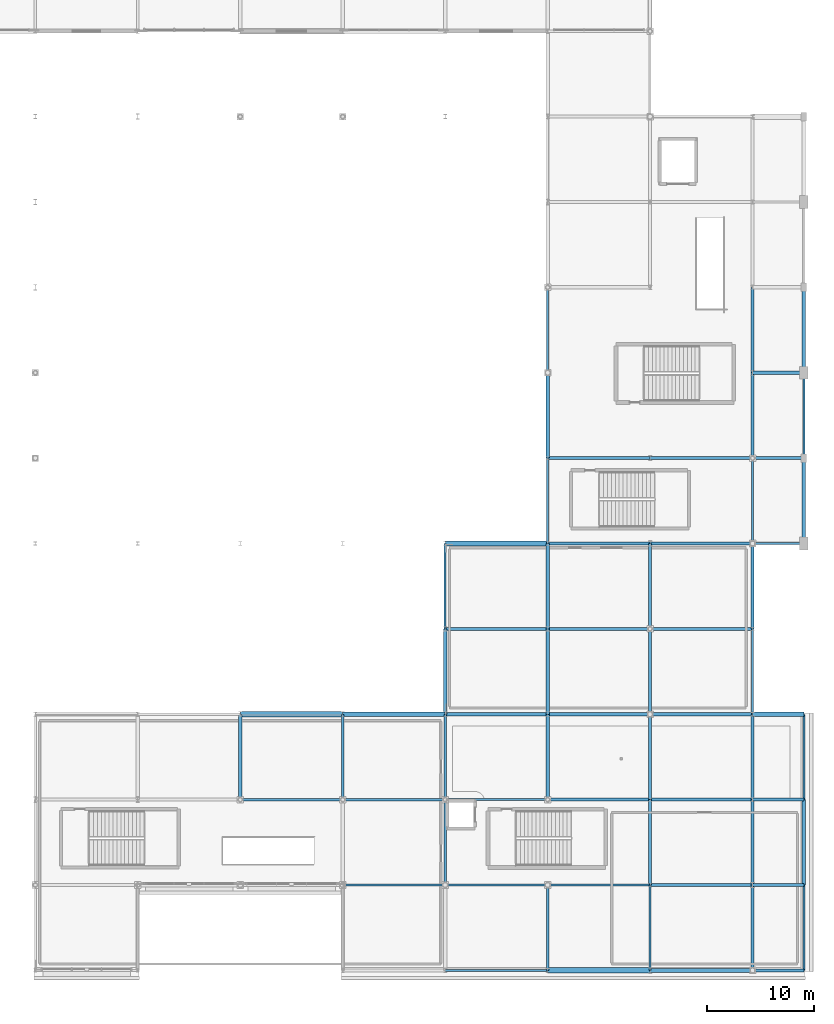
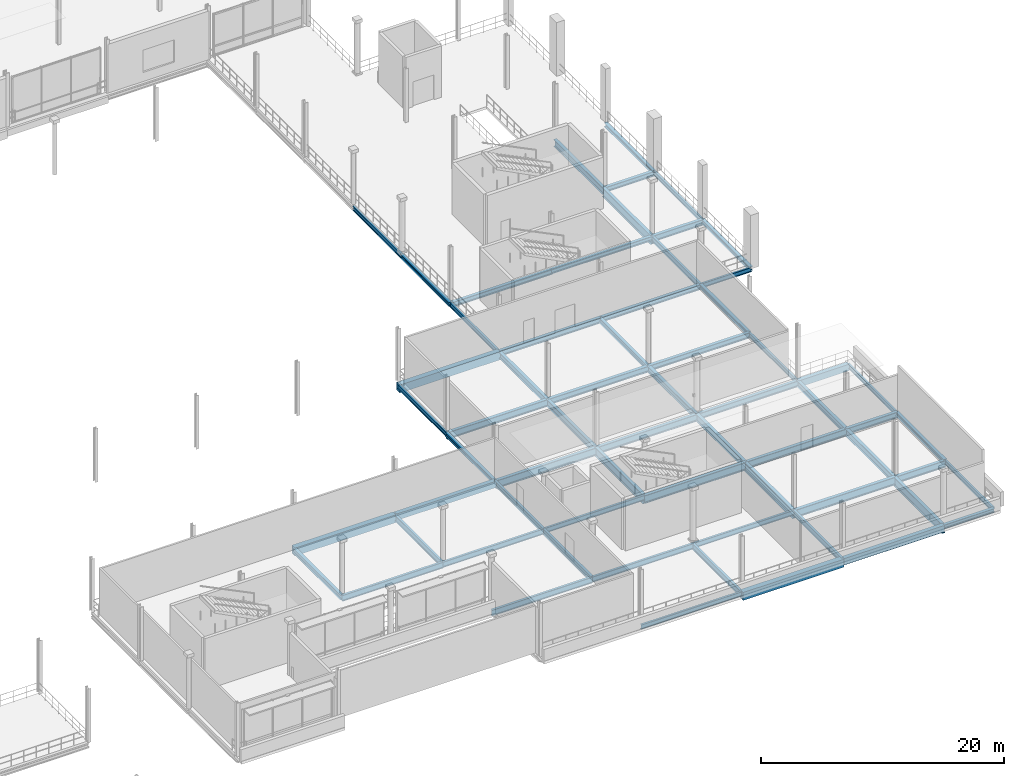
# One storey, part 57 of 129: 64 beams.
"""IFC4 building model written with IfcOpenShell, lengths in metres."""

from ifc_helpers import new_model, si_unit, direction, frame, origin, origin_2d, place, context, subcontext, project, spatial, rectangle, i_section, extrude, material, material_profile, profile_set, type_object, element, save


model = new_model("IFC4")

# Units and contexts
model_context = context("Model", 3, precision=1e-05, world=origin(), true_north=direction((0.0, 1.0)))
body_context = subcontext(model_context, "Body", "Model", "MODEL_VIEW")
ifc_project = project(units=[si_unit("LENGTHUNIT", "METRE"), si_unit("AREAUNIT", "SQUARE_METRE"), si_unit("VOLUMEUNIT", "CUBIC_METRE"), si_unit("PLANEANGLEUNIT", "RADIAN"), si_unit("MASSUNIT", "GRAM", prefix="KILO")], contexts=[model_context])

# Site, building, storey
site_placement = place(None, origin())
site = spatial("IfcSite", under=ifc_project, at=site_placement, CompositionType="ELEMENT")
building_placement = place(site_placement, origin())
building = spatial("IfcBuilding", under=site, at=building_placement, Name="Danafjord Basin Convention Centre", CompositionType="ELEMENT")
storey_placement = place(building_placement, frame((0.0, 0.0, 6.0)))
storey = spatial("IfcBuildingStorey", under=building, at=storey_placement, Name="L01", CompositionType="ELEMENT", Elevation=6.0)

# Beams
ifc_material_1 = material(Name="Steel S355", Category="steel")
ifc_material_profile_1 = material_profile(ifc_material_1, i_section(OverallWidth=0.300048828125, OverallDepth=0.489990234375, WebThickness=0.011962890625, FlangeThickness=0.02294921875, FilletRadius=0.027099609375, at=origin_2d()), Name="HEA 500")
ifc_profile_set_1 = profile_set([ifc_material_profile_1], Name="Steel S355")
beam_type_1 = type_object("IfcBeamType", Name="BEAM-BM-HEA500", PredefinedType="BEAM", material=ifc_profile_set_1)
beam_1_placement = place(storey_placement, frame((211.199951171875, 56.0, -0.4951171875), z_axis=(1.0, 0.0, 0.0), x_axis=(0.0, 1.0, 0.0)))
element("IfcBeam", 1, at=beam_1_placement, inside=storey, type_object=beam_type_1, Name="L01 girder BM-HEA500", PredefinedType="BEAM", context=body_context, shape_type="SweptSolid", body=[
    extrude(i_section(OverallWidth=0.300048828125, OverallDepth=0.489990234375, WebThickness=0.011962890625, FlangeThickness=0.02294921875, FilletRadius=0.027099609375, at=origin_2d()), origin(), (0.0, 0.0, 1.0), 4.800048828125),
])
ifc_material_profile_2 = material_profile(ifc_material_1, i_section(OverallWidth=0.300048828125, OverallDepth=0.590087890625, WebThickness=0.012939453125, FlangeThickness=0.02490234375, FilletRadius=0.027099609375, at=origin_2d()), Name="HEA 600")
ifc_profile_set_2 = profile_set([ifc_material_profile_2], Name="Steel S355")
beam_type_2 = type_object("IfcBeamType", Name="BEAM-BM-HEA600", PredefinedType="BEAM", material=ifc_profile_set_2)
beam_2_placement = place(storey_placement, frame((211.199951171875, 48.0, -0.544921875), z_axis=(1.0, 0.0, 0.0), x_axis=(0.0, 1.0, 0.0)))
element("IfcBeam", 2, at=beam_2_placement, inside=storey, type_object=beam_type_2, Name="L01 girder BM-HEA600", PredefinedType="BEAM", context=body_context, shape_type="SweptSolid", body=[
    extrude(i_section(OverallWidth=0.300048828125, OverallDepth=0.590087890625, WebThickness=0.012939453125, FlangeThickness=0.02490234375, FilletRadius=0.027099609375, at=origin_2d()), origin(), (0.0, 0.0, 1.0), 4.800048828125),
])
ifc_material_profile_3 = material_profile(ifc_material_1, i_section(OverallWidth=0.300048828125, OverallDepth=0.449951171875, WebThickness=0.013916015625, FlangeThickness=0.02587890625, FilletRadius=0.027099609375, at=origin_2d()), Name="HEB 450")
ifc_profile_set_3 = profile_set([ifc_material_profile_3], Name="Steel S355")
beam_type_3 = type_object("IfcBeamType", Name="BEAM-BM-HEB450", PredefinedType="BEAM", material=ifc_profile_set_3)
beam_3_placement = place(storey_placement, frame((201.60009765625, 48.0, -0.47509765625), z_axis=(1.0, 0.0, 0.0), x_axis=(0.0, 1.0, 0.0)))
element("IfcBeam", 3, at=beam_3_placement, inside=storey, type_object=beam_type_3, Name="L01 girder BM-HEB450", PredefinedType="BEAM", context=body_context, shape_type="SweptSolid", body=[
    extrude(i_section(OverallWidth=0.300048828125, OverallDepth=0.449951171875, WebThickness=0.013916015625, FlangeThickness=0.02587890625, FilletRadius=0.027099609375, at=origin_2d()), origin(), (0.0, 0.0, 1.0), 9.599853515625),
])
ifc_material_profile_4 = material_profile(ifc_material_1, i_section(OverallWidth=0.300048828125, OverallDepth=0.5, WebThickness=0.014404296875, FlangeThickness=0.028076171875, FilletRadius=0.027099609375, at=origin_2d()), Name="HEB 500")
ifc_profile_set_4 = profile_set([ifc_material_profile_4], Name="Steel S355")
beam_type_4 = type_object("IfcBeamType", Name="BEAM-BM-HEB500", PredefinedType="BEAM", material=ifc_profile_set_4)
beam_4_placement = place(storey_placement, frame((192.0, 48.0, -0.5), z_axis=(1.0, 0.0, 0.0), x_axis=(0.0, 1.0, 0.0)))
element("IfcBeam", 4, at=beam_4_placement, inside=storey, type_object=beam_type_4, Name="L01 girder BM-HEB500", PredefinedType="BEAM", context=body_context, shape_type="SweptSolid", body=[
    extrude(i_section(OverallWidth=0.300048828125, OverallDepth=0.5, WebThickness=0.014404296875, FlangeThickness=0.028076171875, FilletRadius=0.027099609375, at=origin_2d()), origin(), (0.0, 0.0, 1.0), 9.60009765625),
])
beam_5_placement = place(storey_placement, frame((201.60009765625, 40.0, -0.5), z_axis=(1.0, 0.0, 0.0), x_axis=(0.0, 1.0, 0.0)))
element("IfcBeam", 5, at=beam_5_placement, inside=storey, type_object=beam_type_4, Name="L01 girder BM-HEB500", PredefinedType="BEAM", context=body_context, shape_type="SweptSolid", body=[
    extrude(i_section(OverallWidth=0.300048828125, OverallDepth=0.5, WebThickness=0.014404296875, FlangeThickness=0.028076171875, FilletRadius=0.027099609375, at=origin_2d()), origin(), (0.0, 0.0, 1.0), 9.599853515625),
])
for number, where, z_axis, x_axis, name in (
    (6, (163.199951171875, 16.0, -0.47998046875), (0.0, 1.0, 0.0), (-1.0, 0.0, 0.0), "L01 transverse girder BM-HEB500"),
    (7, (201.60009765625, 32.0, -0.5), (0.0, 1.0, 0.0), (-1.0, 0.0, 0.0), "L01 transverse girder BM-HEB500"),
):
    element("IfcBeam", number, at=place(storey_placement, frame(where, z_axis=z_axis, x_axis=x_axis)), inside=storey, type_object=beam_type_4, Name=name, PredefinedType="BEAM", context=body_context, shape_type="SweptSolid", body=[
        extrude(i_section(OverallWidth=0.300048828125, OverallDepth=0.5, WebThickness=0.014404296875, FlangeThickness=0.028076171875, FilletRadius=0.027099609375, at=origin_2d()), origin(), (0.0, 0.0, 1.0), 8.0),
    ])
ifc_material_profile_5 = material_profile(ifc_material_1, i_section(OverallWidth=0.300048828125, OverallDepth=0.550048828125, WebThickness=0.014892578125, FlangeThickness=0.029052734375, FilletRadius=0.027099609375, at=origin_2d()), Name="HEB 550")
ifc_profile_set_5 = profile_set([ifc_material_profile_5], Name="Steel S355")
beam_type_5 = type_object("IfcBeamType", Name="BEAM-BM-HEB550", PredefinedType="BEAM", material=ifc_profile_set_5)
beam_6_placement = place(storey_placement, frame((192.0, 40.0, -0.52490234375), z_axis=(1.0, 0.0, 0.0), x_axis=(0.0, 1.0, 0.0)))
element("IfcBeam", 8, at=beam_6_placement, inside=storey, type_object=beam_type_5, Name="L01 girder BM-HEB550", PredefinedType="BEAM", context=body_context, shape_type="SweptSolid", body=[
    extrude(i_section(OverallWidth=0.300048828125, OverallDepth=0.550048828125, WebThickness=0.014892578125, FlangeThickness=0.029052734375, FilletRadius=0.027099609375, at=origin_2d()), origin(), (0.0, 0.0, 1.0), 9.60009765625),
])
beam_7_placement = place(storey_placement, frame((201.60009765625, 32.0, -0.52490234375), z_axis=(1.0, 0.0, 0.0), x_axis=(0.0, 1.0, 0.0)))
element("IfcBeam", 9, at=beam_7_placement, inside=storey, type_object=beam_type_5, Name="L01 girder BM-HEB550", PredefinedType="BEAM", context=body_context, shape_type="SweptSolid", body=[
    extrude(i_section(OverallWidth=0.300048828125, OverallDepth=0.550048828125, WebThickness=0.014892578125, FlangeThickness=0.029052734375, FilletRadius=0.027099609375, at=origin_2d()), origin(), (0.0, 0.0, 1.0), 9.599853515625),
])
ifc_material_profile_6 = material_profile(ifc_material_1, i_section(OverallWidth=0.300048828125, OverallDepth=0.60009765625, WebThickness=0.015380859375, FlangeThickness=0.030029296875, FilletRadius=0.027099609375, at=origin_2d()), Name="HEB 600")
ifc_profile_set_6 = profile_set([ifc_material_profile_6], Name="Steel S355")
beam_type_6 = type_object("IfcBeamType", Name="BEAM-BM-HEB600", PredefinedType="BEAM", material=ifc_profile_set_6)
beam_8_placement = place(storey_placement, frame((192.0, 32.0, -0.550048828125), z_axis=(1.0, 0.0, 0.0), x_axis=(0.0, 1.0, 0.0)))
element("IfcBeam", 10, at=beam_8_placement, inside=storey, type_object=beam_type_6, Name="L01 girder BM-HEB600", PredefinedType="BEAM", context=body_context, shape_type="SweptSolid", body=[
    extrude(i_section(OverallWidth=0.300048828125, OverallDepth=0.60009765625, WebThickness=0.015380859375, FlangeThickness=0.030029296875, FilletRadius=0.027099609375, at=origin_2d()), origin(), (0.0, 0.0, 1.0), 9.60009765625),
])
beam_9_placement = place(storey_placement, frame((201.60009765625, 24.0, -0.550048828125), z_axis=(1.0, 0.0, 0.0), x_axis=(0.0, 1.0, 0.0)))
element("IfcBeam", 11, at=beam_9_placement, inside=storey, type_object=beam_type_6, Name="L01 girder BM-HEB600", PredefinedType="BEAM", context=body_context, shape_type="SweptSolid", body=[
    extrude(i_section(OverallWidth=0.300048828125, OverallDepth=0.60009765625, WebThickness=0.015380859375, FlangeThickness=0.030029296875, FilletRadius=0.027099609375, at=origin_2d()), origin(), (0.0, 0.0, 1.0), 9.599853515625),
])
beam_10_placement = place(storey_placement, frame((211.199951171875, 16.0, -0.530029296875), z_axis=(1.0, 0.0, 0.0), x_axis=(0.0, 1.0, 0.0)))
element("IfcBeam", 12, at=beam_10_placement, inside=storey, type_object=beam_type_6, Name="L01 girder BM-HEB600", PredefinedType="BEAM", context=body_context, shape_type="SweptSolid", body=[
    extrude(i_section(OverallWidth=0.300048828125, OverallDepth=0.60009765625, WebThickness=0.015380859375, FlangeThickness=0.030029296875, FilletRadius=0.027099609375, at=origin_2d()), origin(), (0.0, 0.0, 1.0), 4.800048828125),
])
for number, where, z_axis, x_axis, name in (
    (13, (192.0, 32.0, -0.550048828125), (0.0, 1.0, 0.0), (-1.0, 0.0, 0.0), "L01 transverse girder BM-HEB600"),
    (14, (201.60009765625, 24.0, -0.550048828125), (0.0, 1.0, 0.0), (-1.0, 0.0, 0.0), "L01 transverse girder BM-HEB600"),
    (15, (211.199951171875, 16.0, -0.530029296875), (0.0, 1.0, 0.0), (-1.0, 0.0, 0.0), "L01 transverse girder BM-HEB600"),
):
    element("IfcBeam", number, at=place(storey_placement, frame(where, z_axis=z_axis, x_axis=x_axis)), inside=storey, type_object=beam_type_6, Name=name, PredefinedType="BEAM", context=body_context, shape_type="SweptSolid", body=[
        extrude(i_section(OverallWidth=0.300048828125, OverallDepth=0.60009765625, WebThickness=0.015380859375, FlangeThickness=0.030029296875, FilletRadius=0.027099609375, at=origin_2d()), origin(), (0.0, 0.0, 1.0), 8.0),
    ])
ifc_material_profile_7 = material_profile(ifc_material_1, i_section(OverallWidth=0.300048828125, OverallDepth=0.699951171875, WebThickness=0.01708984375, FlangeThickness=0.031982421875, FilletRadius=0.027099609375, at=origin_2d()), Name="HEB 700")
ifc_profile_set_7 = profile_set([ifc_material_profile_7], Name="Steel S355")
beam_type_7 = type_object("IfcBeamType", Name="BEAM-BM-HEB700", PredefinedType="BEAM", material=ifc_profile_set_7)
for number, where, z_axis, x_axis, name in (
    (16, (182.39990234375, 32.0, -0.60009765625), (1.0, 0.0, 0.0), (0.0, 1.0, 0.0), "L01 girder BM-HEB700"),
    (17, (192.0, 24.0, -0.60009765625), (1.0, 0.0, 0.0), (0.0, 1.0, 0.0), "L01 girder BM-HEB700"),
):
    element("IfcBeam", number, at=place(storey_placement, frame(where, z_axis=z_axis, x_axis=x_axis)), inside=storey, type_object=beam_type_7, Name=name, PredefinedType="BEAM", context=body_context, shape_type="SweptSolid", body=[
        extrude(i_section(OverallWidth=0.300048828125, OverallDepth=0.699951171875, WebThickness=0.01708984375, FlangeThickness=0.031982421875, FilletRadius=0.027099609375, at=origin_2d()), origin(), (0.0, 0.0, 1.0), 9.60009765625),
    ])
beam_11_placement = place(storey_placement, frame((201.60009765625, 16.0, -0.580078125), z_axis=(1.0, 0.0, 0.0), x_axis=(0.0, 1.0, 0.0)))
element("IfcBeam", 18, at=beam_11_placement, inside=storey, type_object=beam_type_7, Name="L01 girder BM-HEB700", PredefinedType="BEAM", context=body_context, shape_type="SweptSolid", body=[
    extrude(i_section(OverallWidth=0.300048828125, OverallDepth=0.699951171875, WebThickness=0.01708984375, FlangeThickness=0.031982421875, FilletRadius=0.027099609375, at=origin_2d()), origin(), (0.0, 0.0, 1.0), 9.599853515625),
])
beam_12_placement = place(storey_placement, frame((211.199951171875, 8.0, -0.580078125), z_axis=(1.0, 0.0, 0.0), x_axis=(0.0, 1.0, 0.0)))
element("IfcBeam", 19, at=beam_12_placement, inside=storey, type_object=beam_type_7, Name="L01 girder BM-HEB700", PredefinedType="BEAM", context=body_context, shape_type="SweptSolid", body=[
    extrude(i_section(OverallWidth=0.300048828125, OverallDepth=0.699951171875, WebThickness=0.01708984375, FlangeThickness=0.031982421875, FilletRadius=0.027099609375, at=origin_2d()), origin(), (0.0, 0.0, 1.0), 4.800048828125),
])
for number, where, z_axis, x_axis, name in (
    (20, (192.0, 24.0, -0.60009765625), (0.0, 1.0, 0.0), (-1.0, 0.0, 0.0), "L01 transverse girder BM-HEB700"),
    (21, (201.60009765625, 16.0, -0.580078125), (0.0, 1.0, 0.0), (-1.0, 0.0, 0.0), "L01 transverse girder BM-HEB700"),
    (22, (211.199951171875, 8.0, -0.580078125), (0.0, 1.0, 0.0), (-1.0, 0.0, 0.0), "L01 transverse girder BM-HEB700"),
    (23, (211.199951171875, 56.0, -0.60009765625), (0.0, 1.0, 0.0), (-1.0, 0.0, 0.0), "L01 transverse girder BM-HEB700"),
):
    element("IfcBeam", number, at=place(storey_placement, frame(where, z_axis=z_axis, x_axis=x_axis)), inside=storey, type_object=beam_type_7, Name=name, PredefinedType="BEAM", context=body_context, shape_type="SweptSolid", body=[
        extrude(i_section(OverallWidth=0.300048828125, OverallDepth=0.699951171875, WebThickness=0.01708984375, FlangeThickness=0.031982421875, FilletRadius=0.027099609375, at=origin_2d()), origin(), (0.0, 0.0, 1.0), 8.0),
    ])
ifc_material_profile_8 = material_profile(ifc_material_1, i_section(OverallWidth=0.300048828125, OverallDepth=0.800048828125, WebThickness=0.017578125, FlangeThickness=0.032958984375, FilletRadius=0.030029296875, at=origin_2d()), Name="HEB 800")
ifc_profile_set_8 = profile_set([ifc_material_profile_8], Name="Steel S355")
beam_type_8 = type_object("IfcBeamType", Name="BEAM-BM-HEB800", PredefinedType="BEAM", material=ifc_profile_set_8)
for number, where, z_axis, x_axis, name in (
    (24, (182.39990234375, 24.0, -0.64990234375), (1.0, 0.0, 0.0), (0.0, 1.0, 0.0), "L01 girder BM-HEB800"),
    (25, (192.0, 16.0, -0.6298828125), (1.0, 0.0, 0.0), (0.0, 1.0, 0.0), "L01 girder BM-HEB800"),
):
    element("IfcBeam", number, at=place(storey_placement, frame(where, z_axis=z_axis, x_axis=x_axis)), inside=storey, type_object=beam_type_8, Name=name, PredefinedType="BEAM", context=body_context, shape_type="SweptSolid", body=[
        extrude(i_section(OverallWidth=0.300048828125, OverallDepth=0.800048828125, WebThickness=0.017578125, FlangeThickness=0.032958984375, FilletRadius=0.030029296875, at=origin_2d()), origin(), (0.0, 0.0, 1.0), 9.60009765625),
    ])
beam_13_placement = place(storey_placement, frame((201.60009765625, 8.0, -0.6298828125), z_axis=(1.0, 0.0, 0.0), x_axis=(0.0, 1.0, 0.0)))
element("IfcBeam", 26, at=beam_13_placement, inside=storey, type_object=beam_type_8, Name="L01 girder BM-HEB800", PredefinedType="BEAM", context=body_context, shape_type="SweptSolid", body=[
    extrude(i_section(OverallWidth=0.300048828125, OverallDepth=0.800048828125, WebThickness=0.017578125, FlangeThickness=0.032958984375, FilletRadius=0.030029296875, at=origin_2d()), origin(), (0.0, 0.0, 1.0), 9.599853515625),
])
ifc_material_profile_9 = material_profile(ifc_material_1, i_section(OverallWidth=0.300048828125, OverallDepth=0.89990234375, WebThickness=0.0185546875, FlangeThickness=0.034912109375, FilletRadius=0.030029296875, at=origin_2d()), Name="HEB 900")
ifc_profile_set_9 = profile_set([ifc_material_profile_9], Name="Steel S355")
beam_type_9 = type_object("IfcBeamType", Name="BEAM-BM-HEB900", PredefinedType="BEAM", material=ifc_profile_set_9)
for number, where, z_axis, x_axis, name in (
    (27, (192.0, 16.0, -0.679931640625), (0.0, 1.0, 0.0), (-1.0, 0.0, 0.0), "L01 transverse girder BM-HEB900"),
    (28, (201.60009765625, 8.0, -0.679931640625), (0.0, 1.0, 0.0), (-1.0, 0.0, 0.0), "L01 transverse girder BM-HEB900"),
    (29, (211.199951171875, 0.0, -0.679931640625), (0.0, 1.0, 0.0), (-1.0, 0.0, 0.0), "L01 transverse girder BM-HEB900"),
    (30, (211.199951171875, 48.0, -0.699951171875), (0.0, 1.0, 0.0), (-1.0, 0.0, 0.0), "L01 transverse girder BM-HEB900"),
):
    element("IfcBeam", number, at=place(storey_placement, frame(where, z_axis=z_axis, x_axis=x_axis)), inside=storey, type_object=beam_type_9, Name=name, PredefinedType="BEAM", context=body_context, shape_type="SweptSolid", body=[
        extrude(i_section(OverallWidth=0.300048828125, OverallDepth=0.89990234375, WebThickness=0.0185546875, FlangeThickness=0.034912109375, FilletRadius=0.030029296875, at=origin_2d()), origin(), (0.0, 0.0, 1.0), 8.0),
    ])
ifc_material_profile_10 = material_profile(ifc_material_1, i_section(OverallWidth=0.199951171875, OverallDepth=0.5, WebThickness=0.01025390625, FlangeThickness=0.01611328125, FilletRadius=0.02099609375, at=origin_2d()), Name="IPE 500")
ifc_profile_set_10 = profile_set([ifc_material_profile_10], Name="Steel S355")
beam_type_10 = type_object("IfcBeamType", Name="BEAM-BM-IPE500", PredefinedType="BEAM", material=ifc_profile_set_10)
for number, where, z_axis, x_axis, name in (
    (31, (182.39990234375, 16.0, -0.47998046875), (1.0, 0.0, 0.0), (0.0, 1.0, 0.0), "L01 girder BM-IPE500"),
    (32, (192.0, 8.0, -0.47998046875), (1.0, 0.0, 0.0), (0.0, 1.0, 0.0), "L01 girder BM-IPE500"),
):
    element("IfcBeam", number, at=place(storey_placement, frame(where, z_axis=z_axis, x_axis=x_axis)), inside=storey, type_object=beam_type_10, Name=name, PredefinedType="BEAM", context=body_context, shape_type="SweptSolid", body=[
        extrude(i_section(OverallWidth=0.199951171875, OverallDepth=0.5, WebThickness=0.01025390625, FlangeThickness=0.01611328125, FilletRadius=0.02099609375, at=origin_2d()), origin(), (0.0, 0.0, 1.0), 9.60009765625),
    ])
ifc_material_profile_11 = material_profile(ifc_material_1, i_section(OverallWidth=0.2099609375, OverallDepth=0.550048828125, WebThickness=0.010986328125, FlangeThickness=0.01708984375, FilletRadius=0.02392578125, at=origin_2d()), Name="IPE 550")
ifc_profile_set_11 = profile_set([ifc_material_profile_11], Name="Steel S355")
beam_type_11 = type_object("IfcBeamType", Name="BEAM-BM-IPE550", PredefinedType="BEAM", material=ifc_profile_set_11)
beam_14_placement = place(storey_placement, frame((172.800048828125, 16.0, -0.5048828125), z_axis=(1.0, 0.0, 0.0), x_axis=(0.0, 1.0, 0.0)))
element("IfcBeam", 33, at=beam_14_placement, inside=storey, type_object=beam_type_11, Name="L01 girder BM-IPE550", PredefinedType="BEAM", context=body_context, shape_type="SweptSolid", body=[
    extrude(i_section(OverallWidth=0.2099609375, OverallDepth=0.550048828125, WebThickness=0.010986328125, FlangeThickness=0.01708984375, FilletRadius=0.02392578125, at=origin_2d()), origin(), (0.0, 0.0, 1.0), 9.599853515625),
])
beam_15_placement = place(storey_placement, frame((182.39990234375, 8.0, -0.5048828125), z_axis=(1.0, 0.0, 0.0), x_axis=(0.0, 1.0, 0.0)))
element("IfcBeam", 34, at=beam_15_placement, inside=storey, type_object=beam_type_11, Name="L01 girder BM-IPE550", PredefinedType="BEAM", context=body_context, shape_type="SweptSolid", body=[
    extrude(i_section(OverallWidth=0.2099609375, OverallDepth=0.550048828125, WebThickness=0.010986328125, FlangeThickness=0.01708984375, FilletRadius=0.02392578125, at=origin_2d()), origin(), (0.0, 0.0, 1.0), 9.60009765625),
])
for number, where, z_axis, x_axis, name in (
    (35, (182.39990234375, 16.0, -0.5048828125), (0.0, 1.0, 0.0), (-1.0, 0.0, 0.0), "L01 transverse girder BM-IPE550"),
    (36, (201.60009765625, 0.0, -0.5048828125), (0.0, 1.0, 0.0), (-1.0, 0.0, 0.0), "L01 transverse girder BM-IPE550"),
    (37, (211.199951171875, 40.0, -0.52490234375), (0.0, 1.0, 0.0), (-1.0, 0.0, 0.0), "L01 transverse girder BM-IPE550"),
):
    element("IfcBeam", number, at=place(storey_placement, frame(where, z_axis=z_axis, x_axis=x_axis)), inside=storey, type_object=beam_type_11, Name=name, PredefinedType="BEAM", context=body_context, shape_type="SweptSolid", body=[
        extrude(i_section(OverallWidth=0.2099609375, OverallDepth=0.550048828125, WebThickness=0.010986328125, FlangeThickness=0.01708984375, FilletRadius=0.02392578125, at=origin_2d()), origin(), (0.0, 0.0, 1.0), 8.0),
    ])
ifc_material_profile_12 = material_profile(ifc_material_1, i_section(OverallWidth=0.219970703125, OverallDepth=0.60009765625, WebThickness=0.011962890625, FlangeThickness=0.01904296875, FilletRadius=0.02392578125, at=origin_2d()), Name="IPE 600")
ifc_profile_set_12 = profile_set([ifc_material_profile_12], Name="Steel S355")
beam_type_12 = type_object("IfcBeamType", Name="BEAM-BM-IPE600", PredefinedType="BEAM", material=ifc_profile_set_12)
beam_16_placement = place(storey_placement, frame((163.199951171875, 16.0, -0.530029296875), z_axis=(1.0, 0.0, 0.0), x_axis=(0.0, 1.0, 0.0)))
element("IfcBeam", 38, at=beam_16_placement, inside=storey, type_object=beam_type_12, Name="L01 girder BM-IPE600", PredefinedType="BEAM", context=body_context, shape_type="SweptSolid", body=[
    extrude(i_section(OverallWidth=0.219970703125, OverallDepth=0.60009765625, WebThickness=0.011962890625, FlangeThickness=0.01904296875, FilletRadius=0.02392578125, at=origin_2d()), origin(), (0.0, 0.0, 1.0), 9.60009765625),
])
beam_17_placement = place(storey_placement, frame((172.800048828125, 8.0, -0.530029296875), z_axis=(1.0, 0.0, 0.0), x_axis=(0.0, 1.0, 0.0)))
element("IfcBeam", 39, at=beam_17_placement, inside=storey, type_object=beam_type_12, Name="L01 girder BM-IPE600", PredefinedType="BEAM", context=body_context, shape_type="SweptSolid", body=[
    extrude(i_section(OverallWidth=0.219970703125, OverallDepth=0.60009765625, WebThickness=0.011962890625, FlangeThickness=0.01904296875, FilletRadius=0.02392578125, at=origin_2d()), origin(), (0.0, 0.0, 1.0), 9.599853515625),
])
for number, where, z_axis, x_axis, name in (
    (40, (172.800048828125, 16.0, -0.530029296875), (0.0, 1.0, 0.0), (-1.0, 0.0, 0.0), "L01 transverse girder BM-IPE600"),
    (41, (182.39990234375, 8.0, -0.530029296875), (0.0, 1.0, 0.0), (-1.0, 0.0, 0.0), "L01 transverse girder BM-IPE600"),
    (42, (192.0, 0.0, -0.530029296875), (0.0, 1.0, 0.0), (-1.0, 0.0, 0.0), "L01 transverse girder BM-IPE600"),
):
    element("IfcBeam", number, at=place(storey_placement, frame(where, z_axis=z_axis, x_axis=x_axis)), inside=storey, type_object=beam_type_12, Name=name, PredefinedType="BEAM", context=body_context, shape_type="SweptSolid", body=[
        extrude(i_section(OverallWidth=0.219970703125, OverallDepth=0.60009765625, WebThickness=0.011962890625, FlangeThickness=0.01904296875, FilletRadius=0.02392578125, at=origin_2d()), origin(), (0.0, 0.0, 1.0), 8.0),
    ])
ifc_material_profile_13 = material_profile(ifc_material_1, i_section(OverallWidth=0.300048828125, OverallDepth=0.39990234375, WebThickness=0.013427734375, FlangeThickness=0.02392578125, FilletRadius=0.027099609375, at=origin_2d()), Name="HEB 400")
ifc_profile_set_13 = profile_set([ifc_material_profile_13], Name="Steel S355")
beam_type_13 = type_object("IfcBeamType", Name="BEAM-SP-HEB400", PredefinedType="SPANDREL", material=ifc_profile_set_13)
beam_18_placement = place(storey_placement, frame((211.199951171875, 0.0, -0.429931640625), z_axis=(1.0, 0.0, 0.0), x_axis=(0.0, 1.0, 0.0)))
element("IfcBeam", 43, at=beam_18_placement, inside=storey, type_object=beam_type_13, Name="L01 girder SP-HEB400", PredefinedType="SPANDREL", context=body_context, shape_type="SweptSolid", body=[
    extrude(i_section(OverallWidth=0.300048828125, OverallDepth=0.39990234375, WebThickness=0.013427734375, FlangeThickness=0.02392578125, FilletRadius=0.027099609375, at=origin_2d()), origin(), (0.0, 0.0, 1.0), 4.800048828125),
])
for number, where, z_axis, x_axis, name in (
    (44, (182.39990234375, 24.0, -0.449951171875), (0.0, 1.0, 0.0), (-1.0, 0.0, 0.0), "L01 transverse girder SP-HEB400"),
    (45, (192.0, 48.0, -0.449951171875), (0.0, 1.0, 0.0), (-1.0, 0.0, 0.0), "L01 transverse girder SP-HEB400"),
    (46, (211.199951171875, 32.0, -0.449951171875), (0.0, 1.0, 0.0), (-1.0, 0.0, 0.0), "L01 transverse girder SP-HEB400"),
    (47, (216.0, 8.0, -0.429931640625), (0.0, 1.0, 0.0), (-1.0, 0.0, 0.0), "L01 transverse girder SP-HEB400"),
    (48, (216.0, 40.0, -0.449951171875), (0.0, 1.0, 0.0), (-1.0, 0.0, 0.0), "L01 transverse girder SP-HEB400"),
    (49, (216.0, 56.0, -0.449951171875), (0.0, 1.0, 0.0), (-1.0, 0.0, 0.0), "L01 transverse girder SP-HEB400"),
):
    element("IfcBeam", number, at=place(storey_placement, frame(where, z_axis=z_axis, x_axis=x_axis)), inside=storey, type_object=beam_type_13, Name=name, PredefinedType="SPANDREL", context=body_context, shape_type="SweptSolid", body=[
        extrude(i_section(OverallWidth=0.300048828125, OverallDepth=0.39990234375, WebThickness=0.013427734375, FlangeThickness=0.02392578125, FilletRadius=0.027099609375, at=origin_2d()), origin(), (0.0, 0.0, 1.0), 8.0),
    ])
ifc_material_profile_14 = material_profile(ifc_material_1, i_section(OverallWidth=0.18994140625, OverallDepth=0.449951171875, WebThickness=0.009521484375, FlangeThickness=0.0146484375, FilletRadius=0.02099609375, at=origin_2d()), Name="IPE 450")
ifc_profile_set_14 = profile_set([ifc_material_profile_14], Name="Steel S355")
beam_type_14 = type_object("IfcBeamType", Name="BEAM-SP-IPE450", PredefinedType="SPANDREL", material=ifc_profile_set_14)
beam_19_placement = place(storey_placement, frame((182.39990234375, 0.0, -0.455078125), z_axis=(1.0, 0.0, 0.0), x_axis=(0.0, 1.0, 0.0)))
element("IfcBeam", 50, at=beam_19_placement, inside=storey, type_object=beam_type_14, Name="L01 girder SP-IPE450", PredefinedType="SPANDREL", context=body_context, shape_type="SweptSolid", body=[
    extrude(i_section(OverallWidth=0.18994140625, OverallDepth=0.449951171875, WebThickness=0.009521484375, FlangeThickness=0.0146484375, FilletRadius=0.02099609375, at=origin_2d()), origin(), (0.0, 0.0, 1.0), 9.60009765625),
])
beam_20_placement = place(storey_placement, frame((211.199951171875, 40.0, -0.47509765625), z_axis=(1.0, 0.0, 0.0), x_axis=(0.0, 1.0, 0.0)))
element("IfcBeam", 51, at=beam_20_placement, inside=storey, type_object=beam_type_14, Name="L01 girder SP-IPE450", PredefinedType="SPANDREL", context=body_context, shape_type="SweptSolid", body=[
    extrude(i_section(OverallWidth=0.18994140625, OverallDepth=0.449951171875, WebThickness=0.009521484375, FlangeThickness=0.0146484375, FilletRadius=0.02099609375, at=origin_2d()), origin(), (0.0, 0.0, 1.0), 4.800048828125),
])
for number, where, z_axis, x_axis, name in (
    (52, (182.39990234375, 32.0, -0.47509765625), (0.0, 1.0, 0.0), (-1.0, 0.0, 0.0), "L01 transverse girder SP-IPE450"),
    (53, (192.0, 40.0, -0.47509765625), (0.0, 1.0, 0.0), (-1.0, 0.0, 0.0), "L01 transverse girder SP-IPE450"),
    (54, (192.0, 56.0, -0.47509765625), (0.0, 1.0, 0.0), (-1.0, 0.0, 0.0), "L01 transverse girder SP-IPE450"),
    (55, (211.199951171875, 24.0, -0.47509765625), (0.0, 1.0, 0.0), (-1.0, 0.0, 0.0), "L01 transverse girder SP-IPE450"),
    (56, (216.0, 0.0, -0.455078125), (0.0, 1.0, 0.0), (-1.0, 0.0, 0.0), "L01 transverse girder SP-IPE450"),
    (57, (216.0, 16.0, -0.455078125), (0.0, 1.0, 0.0), (-1.0, 0.0, 0.0), "L01 transverse girder SP-IPE450"),
    (58, (216.0, 48.0, -0.47509765625), (0.0, 1.0, 0.0), (-1.0, 0.0, 0.0), "L01 transverse girder SP-IPE450"),
):
    element("IfcBeam", number, at=place(storey_placement, frame(where, z_axis=z_axis, x_axis=x_axis)), inside=storey, type_object=beam_type_14, Name=name, PredefinedType="SPANDREL", context=body_context, shape_type="SweptSolid", body=[
        extrude(i_section(OverallWidth=0.18994140625, OverallDepth=0.449951171875, WebThickness=0.009521484375, FlangeThickness=0.0146484375, FilletRadius=0.02099609375, at=origin_2d()), origin(), (0.0, 0.0, 1.0), 8.0),
    ])
ifc_material_2 = material(Name="Precast concrete C45/55", Category="concrete")
ifc_material_profile_15 = material_profile(ifc_material_2, rectangle(XDim=0.39990234375, YDim=0.64990234375, at=origin_2d()), Name="PCB 400x650")
ifc_profile_set_15 = profile_set([ifc_material_profile_15], Name="Precast concrete C45/55")
beam_type_15 = type_object("IfcBeamType", Name="BEAM-SP-PCB650", PredefinedType="SPANDREL", material=ifc_profile_set_15)
for number, where, z_axis, x_axis, name in (
    (59, (172.800048828125, 24.0, -0.554931640625), (1.0, 0.0, 0.0), (0.0, 1.0, 0.0), "L01 girder SP-PCB650"),
    (60, (201.60009765625, 0.0, -0.554931640625), (1.0, 0.0, 0.0), (0.0, 1.0, 0.0), "L01 girder SP-PCB650"),
):
    element("IfcBeam", number, at=place(storey_placement, frame(where, z_axis=z_axis, x_axis=x_axis)), inside=storey, type_object=beam_type_15, Name=name, PredefinedType="SPANDREL", context=body_context, shape_type="SweptSolid", body=[
        extrude(rectangle(XDim=0.39990234375, YDim=0.64990234375, at=origin_2d()), origin(), (0.0, 0.0, 1.0), 9.599853515625),
    ])
beam_21_placement = place(storey_placement, frame((211.199951171875, 24.0, -0.554931640625), z_axis=(1.0, 0.0, 0.0), x_axis=(0.0, 1.0, 0.0)))
element("IfcBeam", 61, at=beam_21_placement, inside=storey, type_object=beam_type_15, Name="L01 girder SP-PCB650", PredefinedType="SPANDREL", context=body_context, shape_type="SweptSolid", body=[
    extrude(rectangle(XDim=0.39990234375, YDim=0.64990234375, at=origin_2d()), origin(), (0.0, 0.0, 1.0), 4.800048828125),
])
ifc_material_profile_16 = material_profile(ifc_material_2, rectangle(XDim=0.5, YDim=0.800048828125, at=origin_2d()), Name="PCB 500x800")
ifc_profile_set_16 = profile_set([ifc_material_profile_16], Name="Precast concrete C45/55")
beam_type_16 = type_object("IfcBeamType", Name="BEAM-SP-PCB800", PredefinedType="SPANDREL", material=ifc_profile_set_16)
for number, where, z_axis, x_axis, name in (
    (62, (163.199951171875, 24.0, -0.6298828125), (1.0, 0.0, 0.0), (0.0, 1.0, 0.0), "L01 girder SP-PCB800"),
    (63, (182.39990234375, 40.0, -0.64990234375), (1.0, 0.0, 0.0), (0.0, 1.0, 0.0), "L01 girder SP-PCB800"),
    (64, (192.0, 0.0, -0.6298828125), (1.0, 0.0, 0.0), (0.0, 1.0, 0.0), "L01 girder SP-PCB800"),
):
    element("IfcBeam", number, at=place(storey_placement, frame(where, z_axis=z_axis, x_axis=x_axis)), inside=storey, type_object=beam_type_16, Name=name, PredefinedType="SPANDREL", context=body_context, shape_type="SweptSolid", body=[
        extrude(rectangle(XDim=0.5, YDim=0.800048828125, at=origin_2d()), origin(), (0.0, 0.0, 1.0), 9.60009765625),
    ])

save(model, "model.ifc")
